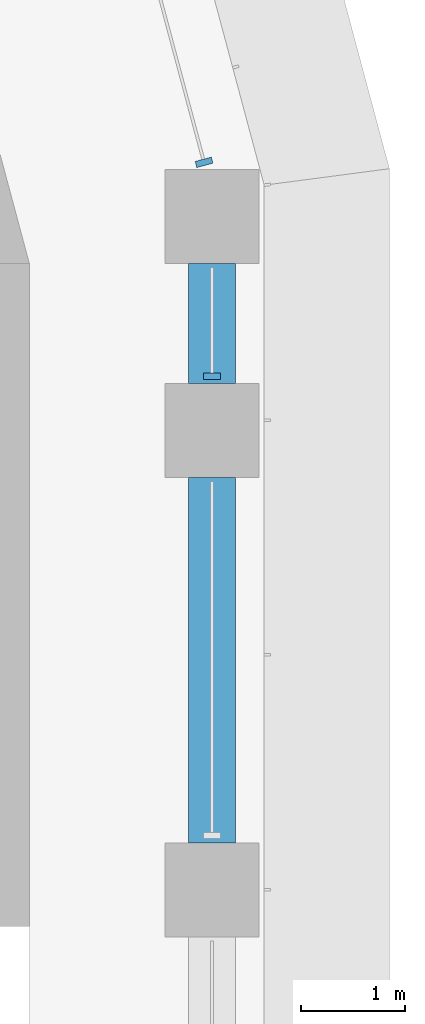
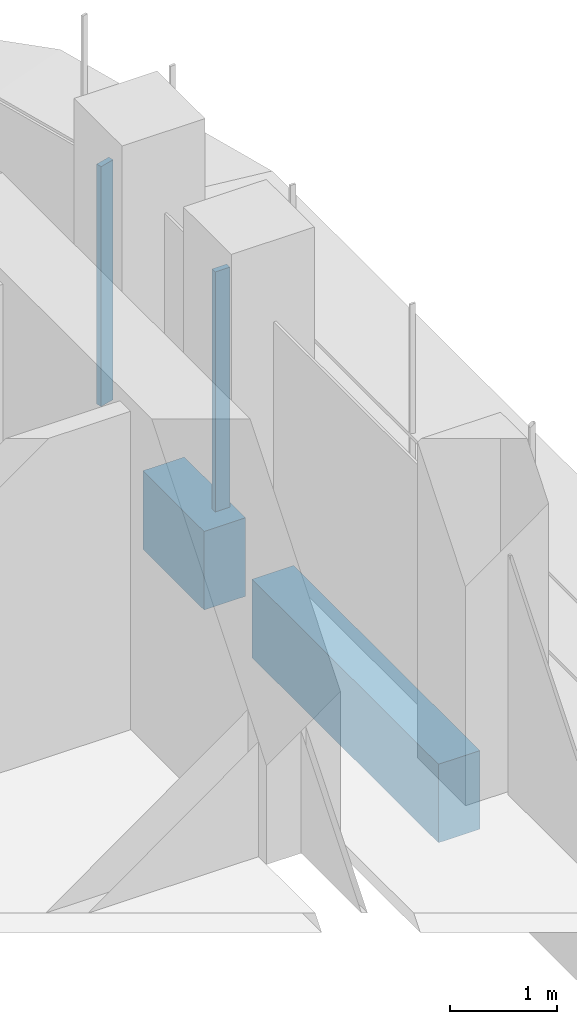
# One storey, part 9 of 22: 2 beams, 2 members, 2 elements without a shape of their own.
"""IFC4 building model written with IfcOpenShell, lengths in metres."""

from ifc_helpers import new_model, si_unit, direction, frame, origin, origin_2d, place, context, subcontext, project, spatial, polyline, rectangle, outline, extrude, source, transform, mapped, material, material_profile, profile_set, type_object, element, aggregate, save


model = new_model("IFC4")

# Units and contexts
model_context = context("Model", 3, precision=1e-05, world=origin(), true_north=direction((0.0, 1.0)))
body_context = subcontext(model_context, "Body", "Model", "MODEL_VIEW")
ifc_project = project(units=[si_unit("LENGTHUNIT", "METRE"), si_unit("AREAUNIT", "SQUARE_METRE"), si_unit("VOLUMEUNIT", "CUBIC_METRE"), si_unit("PLANEANGLEUNIT", "RADIAN"), si_unit("MASSUNIT", "GRAM", prefix="KILO")], contexts=[model_context])

# Site, building, storey
site_placement = place(None, origin())
site = spatial("IfcSite", under=ifc_project, at=site_placement, CompositionType="ELEMENT")
building_placement = place(site_placement, origin())
building = spatial("IfcBuilding", under=site, at=building_placement, Name="Zarbagh Exchange Tower", CompositionType="ELEMENT")
storey_placement = place(building_placement, frame((0.0, 0.0, 113.199951171875)))
storey = spatial("IfcBuildingStorey", under=building, at=storey_placement, Name="L26", CompositionType="ELEMENT", Elevation=113.199951171875)

# Beams
ifc_material_1 = material(Name="Concrete C60/75", Category="concrete")
ifc_material_profile = material_profile(ifc_material_1, rectangle(XDim=0.449951171875, YDim=0.89990234375, at=origin_2d()), Name="RC spandrel beam 450 x 900 C60/75")
ifc_profile_set = profile_set([ifc_material_profile], Name="Concrete C60/75")
beam_type = type_object("IfcBeamType", Name="RC spandrel beam 450 x 900 C60/75", PredefinedType="SPANDREL", material=ifc_profile_set)
beam_1_placement = place(storey_placement, frame((6.25, 26.25, -0.599853515625), z_axis=(0.0, -1.0, 0.0), x_axis=(1.0, 0.0, 0.0)))
element("IfcBeam", 1, at=beam_1_placement, inside=storey, type_object=beam_type, Name="RC spandrel beam", PredefinedType="SPANDREL", context=body_context, shape_type="SweptSolid", body=[
    extrude(rectangle(XDim=0.449951171875, YDim=0.89990234375, at=origin_2d()), origin(), (0.0, 0.0, 1.0), 1.14990234375),
])
beam_2_placement = place(storey_placement, frame((6.25, 24.199951171875, -0.599853515625), z_axis=(0.0, -1.0, 0.0), x_axis=(1.0, 0.0, 0.0)))
element("IfcBeam", 2, at=beam_2_placement, inside=storey, type_object=beam_type, Name="RC spandrel beam", PredefinedType="SPANDREL", context=body_context, shape_type="SweptSolid", body=[
    extrude(rectangle(XDim=0.449951171875, YDim=0.89990234375, at=origin_2d()), origin(), (0.0, 0.0, 1.0), 3.5),
])

# Curtain wall, member
ifc_material_2 = material(Name="Anodised aluminium frame and glazing", Category="aluminium")
curtain_wall_type = type_object("IfcCurtainWallType", Name="CWA Ribbon glazing, lower zones", PredefinedType="NOTDEFINED", material=ifc_material_2)
curtain_wall_1_placement = place(storey_placement, origin())
curtain_wall_1 = element("IfcCurtainWall", 3, at=curtain_wall_1_placement, inside=storey, type_object=curtain_wall_type, Name="CWA49 curtain wall", PredefinedType="NOTDEFINED")
ifc_material_3 = material(Name="Anodised aluminium frame", Category="aluminium")
member_type = type_object("IfcMemberType", Name="MUA Mullion, anodised aluminium frame", PredefinedType="MULLION", material=ifc_material_3)
shared_shape = source(origin(), body_context, "Body", "SweptSolid", [
    extrude(outline(polyline([(0.0, -0.080078125), (0.06005859375, -0.080078125), (0.06005859375, 0.080078125), (0.0, 0.080078125), (0.0, -0.080078125)])), origin(), (0.0, 0.0, 1.0), 2.75),
])
placement = place(storey_placement, origin())
member_1 = element("IfcMember", 4, at=placement, type_object=member_type, Name="CWA49 mullion 4.1", PredefinedType="MULLION", context=body_context, shape_type="MappedRepresentation", body=[
    mapped(shared_shape, transform((6.25, 25.14013671875, 0.0), x_axis=(0.0, 1.0, 0.0), y_axis=(-1.0, 0.0, 0.0), z_axis=(0.0, 0.0, 1.0))),
])
aggregate(curtain_wall_1, [member_1])

curtain_wall_2_placement = place(storey_placement, origin())
curtain_wall_2 = element("IfcCurtainWall", 5, at=curtain_wall_2_placement, inside=storey, type_object=curtain_wall_type, Name="CWA50 curtain wall", PredefinedType="NOTDEFINED")
member_2 = element("IfcMember", 6, at=placement, type_object=member_type, Name="CWA50 mullion 1.1", PredefinedType="MULLION", context=body_context, shape_type="MappedRepresentation", body=[
    mapped(shared_shape, transform((6.181396484375, 27.18994140625, 0.0), x_axis=(-0.258824779902, 0.965924289636, 0.0), y_axis=(-0.965924289636, -0.258824779902, 0.0), z_axis=(0.0, 0.0, 1.0))),
])
aggregate(curtain_wall_2, [member_2])

save(model, "model.ifc")
